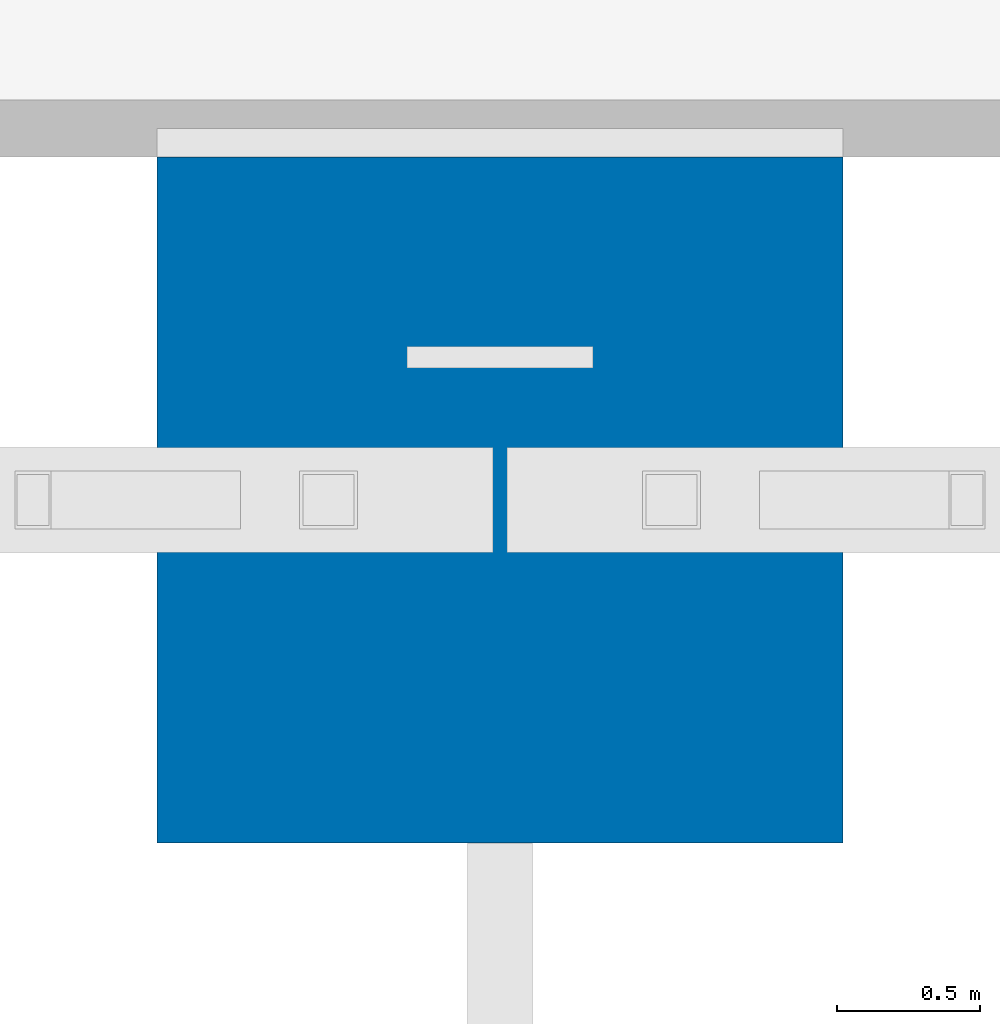
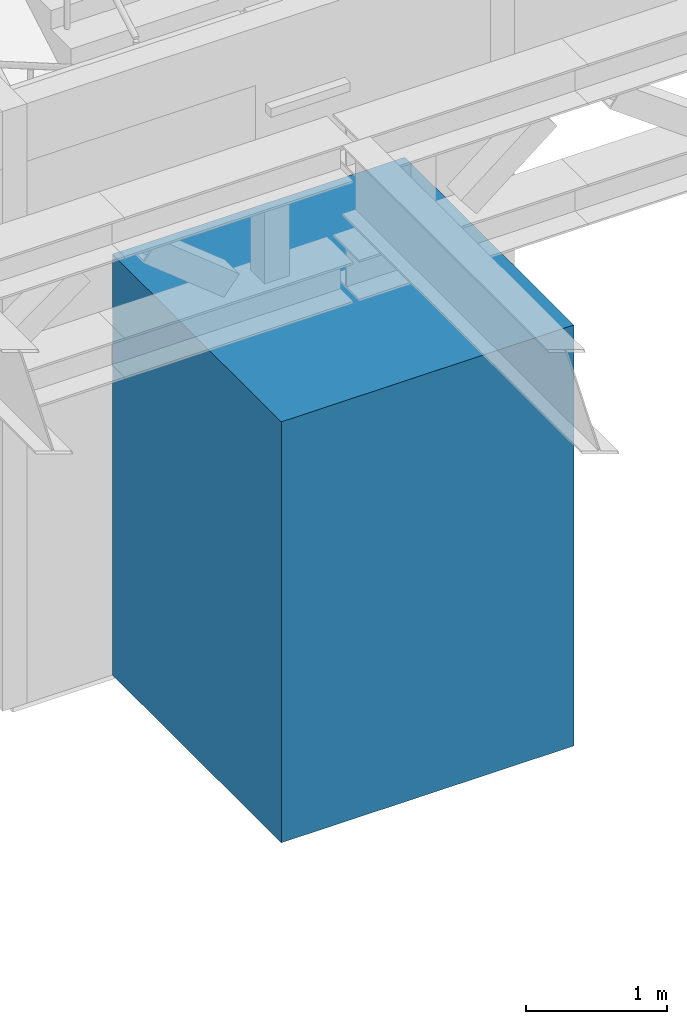
# One storey, part 4 of 93: 1 column.
"""IFC4 building model written with IfcOpenShell, lengths in metres."""

from ifc_helpers import new_model, si_unit, direction, frame, origin, origin_2d, place, context, subcontext, project, spatial, rectangle, extrude, material, material_profile, profile_set, type_object, element, save


model = new_model("IFC4")

# Units and contexts
model_context = context("Model", 3, precision=1e-05, world=origin(), true_north=direction((0.0, 1.0)))
body_context = subcontext(model_context, "Body", "Model", "MODEL_VIEW")
ifc_project = project(units=[si_unit("LENGTHUNIT", "METRE"), si_unit("AREAUNIT", "SQUARE_METRE"), si_unit("VOLUMEUNIT", "CUBIC_METRE"), si_unit("PLANEANGLEUNIT", "RADIAN"), si_unit("MASSUNIT", "GRAM", prefix="KILO")], contexts=[model_context])

# Site, building, storey
site_placement = place(None, origin())
site = spatial("IfcSite", under=ifc_project, at=site_placement, CompositionType="ELEMENT")
building_placement = place(site_placement, origin())
building = spatial("IfcBuilding", under=site, at=building_placement, Name="Verrick Yard Athletic Hall", CompositionType="ELEMENT")
storey_placement = place(building_placement, frame((0.0, 0.0, 8.800048828125)))
storey = spatial("IfcBuildingStorey", under=building, at=storey_placement, Name="L02", CompositionType="ELEMENT", Elevation=8.800048828125)

# Column
ifc_material = material(Name="Concrete 35 MPa", Category="concrete")
ifc_material_profile = material_profile(ifc_material, rectangle(XDim=2.39990234375, YDim=2.39990234375, at=origin_2d()), Name="STR Buttress pier PR1")
ifc_profile_set = profile_set([ifc_material_profile], Name="Concrete 35 MPa")
column_type = type_object("IfcColumnType", Name="STR Buttress pier PR1", PredefinedType="COLUMN", material=ifc_profile_set)
column_placement = place(storey_placement, frame((73.60009765625, 52.800048828125, 0.0), z_axis=(0.0, 0.0, 1.0), x_axis=(1.0, 0.0, 0.0)))
element("IfcColumn", 1, at=column_placement, inside=storey, type_object=column_type, Name="Buttress pier P3C", PredefinedType="COLUMN", context=body_context, shape_type="SweptSolid", body=[
    extrude(rectangle(XDim=2.39990234375, YDim=2.39990234375, at=origin_2d()), origin(), (0.0, 0.0, 1.0), 3.64990234375),
])

save(model, "model.ifc")
